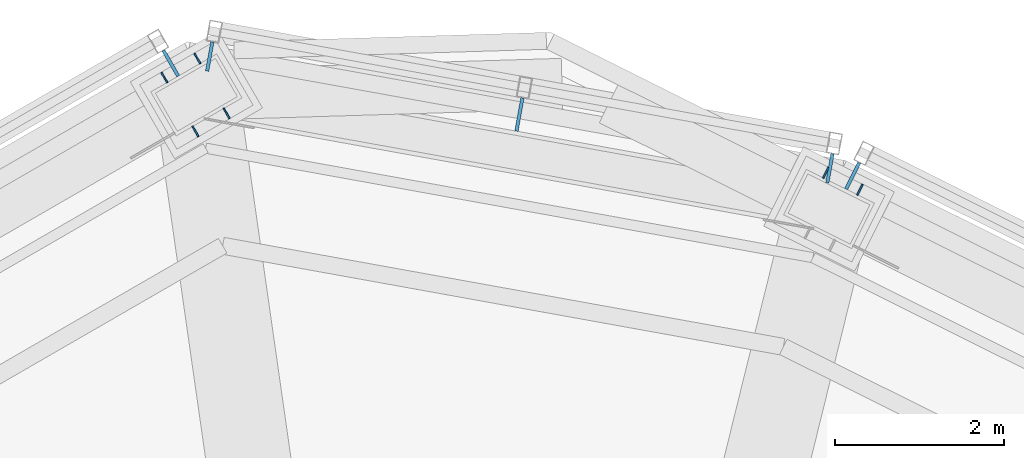
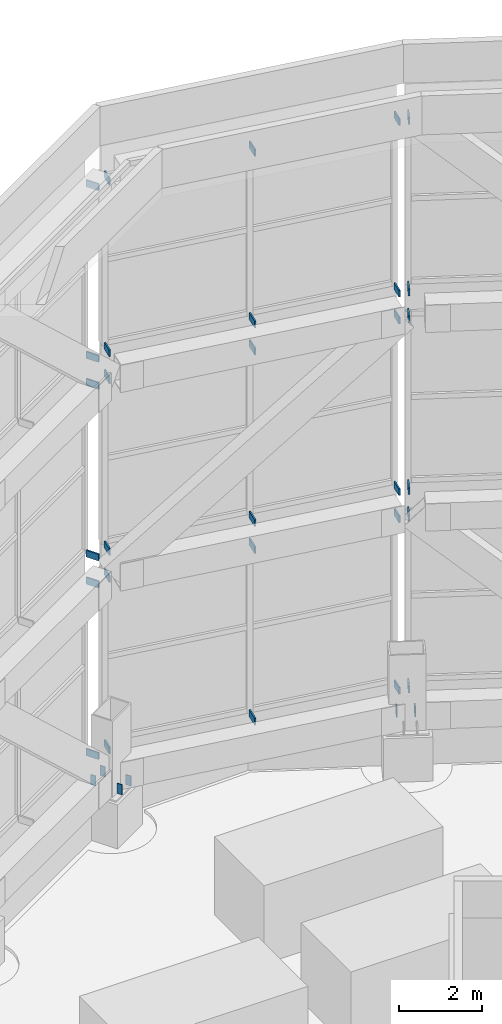
# One storey, part 42 of 46: 36 discrete accessories.
"""IFC4 building model written with IfcOpenShell, lengths in metres."""

import ifcopenshell
import ifcopenshell.guid

model = None  # the IFC model being written
_history = None  # IfcOwnerHistory: only IFC2X3 demands one
_inside = {}  # id of a spatial element -> (the spatial element, [elements in it])
_under = {}  # id of a project, library or spatial element -> (it, [spatial elements below it])
_declared = {}  # id of a project -> (the project, [libraries it declares])
_typed = {}  # id of a type object -> (the type object, [elements of that type])
_made_of = {}  # id of a material, layer set ... -> (it, [elements and type objects made of it])


def new_model(schema):
    """Start an empty IFC model of exactly this schema.

    Asked for "IFC4X3", IfcOpenShell would pick the latest addendum, in which some entities
    have other attributes; the version numbers below select the first issue.
    IFC2X3 requires an IfcOwnerHistory on every rooted entity: one is made here for all.
    """
    global model, _history
    if schema == "IFC4X3":
        model = ifcopenshell.file(schema_version=(4, 3, 0, 0))
    else:
        model = ifcopenshell.file(schema=schema)
    _inside.clear()
    _under.clear()
    _declared.clear()
    _typed.clear()
    _made_of.clear()
    _history = None
    if model.schema == "IFC2X3":
        org = make("IfcOrganization", Name="unknown")
        user = make(
            "IfcPersonAndOrganization",
            ThePerson=make("IfcPerson", FamilyName="unknown"),
            TheOrganization=org,
        )
        app = make(
            "IfcApplication",
            ApplicationDeveloper=org,
            Version="unknown",
            ApplicationFullName="unknown",
            ApplicationIdentifier="unknown",
        )
        _history = make(
            "IfcOwnerHistory",
            OwningUser=user,
            OwningApplication=app,
            ChangeAction="ADDED",
            CreationDate=0,
        )
    return model


def make(cls, **values):
    """One entity of the class cls with the attributes given. An attribute that is None is left unset."""
    return model.create_entity(
        cls, **{name: value for name, value in values.items() if value is not None}
    )


def rooted(cls, **values):
    """An entity with a GlobalId (a new one), such as an element, a storey or a relation."""
    return make(cls, GlobalId=ifcopenshell.guid.new(), OwnerHistory=_history, **values)


def si_unit(unit_type, name, prefix=None):
    """IfcSIUnit, for example si_unit("LENGTHUNIT", "METRE", prefix="MILLI")."""
    return make("IfcSIUnit", UnitType=unit_type, Prefix=prefix, Name=name)


def assignment(units):
    """IfcUnitAssignment: the units of a project."""
    return None if units is None else make("IfcUnitAssignment", Units=units)


def point(xyz):
    """IfcCartesianPoint."""
    return None if xyz is None else make("IfcCartesianPoint", Coordinates=xyz)


def direction(xyz):
    """IfcDirection."""
    return None if xyz is None else make("IfcDirection", DirectionRatios=xyz)


def frame(location, z_axis=None, x_axis=None):
    """IfcAxis2Placement3D, a coordinate frame: its origin and axes. An axis left out is left unset."""
    return make(
        "IfcAxis2Placement3D",
        Location=point(location),
        Axis=direction(z_axis),
        RefDirection=direction(x_axis),
    )


def frame_2d(location, x_axis=None):
    """IfcAxis2Placement2D, a coordinate frame in the plane: its origin and x axis."""
    return make(
        "IfcAxis2Placement2D", Location=point(location), RefDirection=direction(x_axis)
    )


def origin():
    """The frame at (0, 0, 0) with its axes left unset."""
    return frame((0.0, 0.0, 0.0))


def origin_2d():
    """The frame at (0, 0) in the plane with its x axis left unset."""
    return frame_2d((0.0, 0.0))


def place(relative_to, where):
    """IfcLocalPlacement: puts the frame where relative to a parent placement (None: the world)."""
    return make(
        "IfcLocalPlacement", PlacementRelTo=relative_to, RelativePlacement=where
    )


def context(
    kind, dimensions, precision=None, world=None, true_north=None, identifier=None
):
    """IfcGeometricRepresentationContext, for example the 3D "Model" context."""
    return make(
        "IfcGeometricRepresentationContext",
        ContextIdentifier=identifier,
        ContextType=kind,
        CoordinateSpaceDimension=dimensions,
        Precision=precision,
        WorldCoordinateSystem=world,
        TrueNorth=true_north,
    )


def subcontext(parent, identifier, kind, view, scale=None):
    """IfcGeometricRepresentationSubContext, for example "Body" below "Model"."""
    return make(
        "IfcGeometricRepresentationSubContext",
        ContextIdentifier=identifier,
        ContextType=kind,
        ParentContext=parent,
        TargetScale=scale,
        TargetView=view,
    )


def project(units=None, contexts=None):
    """IfcProject with its units and contexts."""
    return rooted(
        "IfcProject",
        Name="project",
        RepresentationContexts=contexts,
        UnitsInContext=assignment(units),
    )


def spatial(cls, under=None, at=None, **own):
    """A site, building, storey or space (cls), placed at a placement, below another one or the project."""
    s = rooted(cls, ObjectPlacement=at, **own)
    if under is not None:
        _under.setdefault(under.id(), (under, []))[1].append(s)
    return s


def profile(cls, at=None, kind="AREA", **sizes):
    """A parametric profile (cls). Its sizes go by their IFC names, for example OverallWidth=200.0."""
    return make(cls, ProfileType=kind, Position=at, **sizes)


def rectangle(**sizes):
    """IfcRectangleProfileDef."""
    return profile("IfcRectangleProfileDef", **sizes)


def extrude(swept, where, along, depth):
    """IfcExtrudedAreaSolid: the profile swept, set in the frame where, extruded along a direction by depth."""
    return make(
        "IfcExtrudedAreaSolid",
        SweptArea=swept,
        Position=where,
        ExtrudedDirection=direction(along),
        Depth=depth,
    )


def shape(context_of_items, identifier, shape_type, items):
    """IfcShapeRepresentation: the items that make up one representation, for example the "Body"."""
    return make(
        "IfcShapeRepresentation",
        ContextOfItems=context_of_items,
        RepresentationIdentifier=identifier,
        RepresentationType=shape_type,
        Items=items,
    )


def material(Name=None, Category=None):
    """IfcMaterial."""
    return make("IfcMaterial", Name=Name, Category=Category)


def layer(
    of_material, thickness, ventilated=None, Name=None, Category=None, Priority=None
):
    """IfcMaterialLayer: one layer of a wall or slab, of a material (None: an air gap)."""
    return make(
        "IfcMaterialLayer",
        Material=of_material,
        LayerThickness=thickness,
        IsVentilated=ventilated,
        Name=Name,
        Category=Category,
        Priority=Priority,
    )


def layer_set(layers, Name=None):
    """IfcMaterialLayerSet."""
    return make("IfcMaterialLayerSet", MaterialLayers=layers, LayerSetName=Name)


def made_of(thing, what):
    """Note that an element or type object is made of a material, layer set ...; save() writes the relation."""
    if what is not None:
        _made_of.setdefault(what.id(), (what, []))[1].append(thing)
    return thing


def type_object(cls, material=None, **own):
    """A type object (cls), such as IfcWallType, which elements share."""
    return made_of(rooted(cls, **own), material)


def element(
    cls,
    number,
    at=None,
    inside=None,
    cuts=None,
    type_object=None,
    material=None,
    context=None,
    identifier="Body",
    shape_type=None,
    held_by="IfcProductDefinitionShape",
    body=None,
    shapes=None,
    **own,
):
    """One element of the class cls, such as IfcWall. Its Tag is "e" and its number.

    at: its placement. inside: the storey or other place that contains it. cuts: it is an
    opening in that element (IfcRelVoidsElement). A single representation is given by context,
    identifier, shape_type and body (its items); several are given by shapes. held_by: the class
    of the entity that holds the representations. save() writes the other relations.
    """
    e = rooted(cls, Tag="e%d" % number, ObjectPlacement=at, **own)
    if body is not None:
        shapes = [shape(context, identifier, shape_type, body)]
    if shapes is not None:
        e.Representation = make(held_by, Representations=shapes)
    if inside is not None:
        _inside.setdefault(inside.id(), (inside, []))[1].append(e)
    if cuts is not None:
        rooted(
            "IfcRelVoidsElement", RelatingBuildingElement=cuts, RelatedOpeningElement=e
        )
    if type_object is not None:
        _typed.setdefault(type_object.id(), (type_object, []))[1].append(e)
    return made_of(e, material)


def aggregate(whole, parts):
    """IfcRelAggregates: a whole, such as a stair, and the parts it consists of."""
    return rooted("IfcRelAggregates", RelatingObject=whole, RelatedObjects=parts)


def save(model, path):
    """Write the relations noted so far, then the file.

    IfcRelAggregates (storeys below a building ...), IfcRelContainedInSpatialStructure (elements
    in a storey), IfcRelDefinesByType, IfcRelAssociatesMaterial and IfcRelDeclares: one each for
    every whole, place, type object, material and project.
    """
    for whole, parts in _under.values():
        aggregate(whole, parts)
    for where, things in _inside.values():
        rooted(
            "IfcRelContainedInSpatialStructure",
            RelatedElements=things,
            RelatingStructure=where,
        )
    for kind, things in _typed.values():
        rooted("IfcRelDefinesByType", RelatedObjects=things, RelatingType=kind)
    for what, things in _made_of.values():
        rooted("IfcRelAssociatesMaterial", RelatedObjects=things, RelatingMaterial=what)
    for by, libraries in _declared.values():
        rooted("IfcRelDeclares", RelatingContext=by, RelatedDefinitions=libraries)
    model.write(path)


model = new_model("IFC4")

# Units and contexts
model_context = context("Model", 3, precision=1e-05, world=origin(), true_north=direction((0.0, 1.0)))
body_context = subcontext(model_context, "Body", "Model", "MODEL_VIEW")
ifc_project = project(units=[si_unit("LENGTHUNIT", "METRE"), si_unit("AREAUNIT", "SQUARE_METRE"), si_unit("VOLUMEUNIT", "CUBIC_METRE"), si_unit("PLANEANGLEUNIT", "RADIAN"), si_unit("MASSUNIT", "GRAM", prefix="KILO")], contexts=[model_context])

# Site, building, storey
site_placement = place(None, origin())
site = spatial("IfcSite", under=ifc_project, at=site_placement, CompositionType="ELEMENT")
building_placement = place(site_placement, origin())
building = spatial("IfcBuilding", under=site, at=building_placement, Name="Vanh Sen Convention Tower", CompositionType="ELEMENT")
storey_placement = place(building_placement, frame((0.0, 0.0, 305.0)))
storey = spatial("IfcBuildingStorey", under=building, at=storey_placement, Name="Roof level", CompositionType="ELEMENT", Elevation=305.0)

# Discrete accessories
ifc_material_1 = material(Name="Steel S355", Category="steel")
ifc_layer = layer(ifc_material_1, 0.02001953125)
ifc_layer_set = layer_set([ifc_layer], Name="Steel S355")
discrete_accessory_type_1 = type_object("IfcDiscreteAccessoryType", Name="Crown base plate stiffener 140 x 300 x 20", PredefinedType="USERDEFINED", material=ifc_layer_set)
for number, where, z_axis, x_axis, name in (
    (1, (4.578857421875, 19.134765625, 1.34521484375), (0.0, 0.0, 1.0), (-0.44619781311, -0.894934361602, 0.0), "STIFFENER crown column 06 rib 3"),
    (2, (4.981689453125, 18.93408203125, 1.34521484375), (0.0, 0.0, 1.0), (-0.44619781311, -0.894934361602, 0.0), "STIFFENER crown column 06 rib 4"),
    (3, (-2.87548828125, 19.623779296875, 1.34521484375), (0.0, 0.0, 1.0), (0.5, -0.866025403784, 0.0), "STIFFENER crown column 07 rib 1"),
    (4, (-2.50732421875, 19.83642578125, 1.34521484375), (0.0, 0.0, 1.0), (0.5, -0.866025403784, 0.0), "STIFFENER crown column 07 rib 2"),
    (5, (-3.242919921875, 20.260498046875, 1.34521484375), (0.0, 0.0, 1.0), (0.5, -0.866025403784, 0.0), "STIFFENER crown column 07 rib 3"),
    (6, (-2.853271484375, 20.485595703125, 1.34521484375), (0.0, 0.0, 1.0), (0.5, -0.866025403784, 0.0), "STIFFENER crown column 07 rib 4"),
):
    element("IfcDiscreteAccessory", number, at=place(storey_placement, frame(where, z_axis=z_axis, x_axis=x_axis)), inside=storey, type_object=discrete_accessory_type_1, Name=name, ObjectType="STIFFENER", PredefinedType="USERDEFINED", context=body_context, shape_type="SweptSolid", body=[
        extrude(rectangle(XDim=0.14501953125, YDim=0.02001953125, at=origin_2d()), origin(), (0.0, 0.0, 1.0), 0.300048828125),
    ])
ifc_material_2 = material(Name="Steel S355", Category="steel")
discrete_accessory_type_2 = type_object("IfcDiscreteAccessoryType", Name="Crown screen bracket 40 x 200", PredefinedType="BRACKET", material=ifc_material_2)
for number, where, z_axis, x_axis, name in (
    (7, (4.8955078125, 19.09716796875, 2.044921875), (0.0, 0.0, 1.0), (0.446193127238, 0.894936697876, 0.0), "Crown screen bracket 05-1-3"),
    (8, (4.8955078125, 19.09716796875, 7.11328125), (0.0, 0.0, 1.0), (0.446193127238, 0.894936697876, 0.0), "Crown screen bracket 05-1-6"),
    (9, (4.8955078125, 19.09716796875, 7.9130859375), (0.0, 0.0, 1.0), (0.446193127238, 0.894936697876, 0.0), "Crown screen bracket 05-2-3"),
    (10, (4.8955078125, 19.09716796875, 12.98193359375), (0.0, 0.0, 1.0), (0.446193127238, 0.894936697876, 0.0), "Crown screen bracket 05-2-6"),
    (11, (4.8955078125, 19.09716796875, 13.78173828125), (0.0, 0.0, 1.0), (0.446193127238, 0.894936697876, 0.0), "Crown screen bracket 05-3-3"),
    (12, (4.8955078125, 19.09716796875, 18.85009765625), (0.0, 0.0, 1.0), (0.446193127238, 0.894936697876, 0.0), "Crown screen bracket 05-3-6"),
    (13, (4.626708984375, 19.186279296875, 2.044921875), (0.0, 0.0, 1.0), (0.177495266048, 0.984121654335, 0.0), "Crown screen bracket 06-1-1"),
):
    element("IfcDiscreteAccessory", number, at=place(storey_placement, frame(where, z_axis=z_axis, x_axis=x_axis)), inside=storey, type_object=discrete_accessory_type_2, Name=name, PredefinedType="BRACKET", context=body_context, shape_type="SweptSolid", body=[
        extrude(rectangle(XDim=0.35009765625, YDim=0.0400390625, at=origin_2d()), origin(), (0.0, 0.0, 1.0), 0.199951171875),
    ])
discrete_accessory_1_placement = place(storey_placement, frame((0.955810546875, 19.822998046875, 2.044921875), z_axis=(0.0, 0.0, 1.0), x_axis=(0.177495266048, 0.984121654335, 0.0)))
element("IfcDiscreteAccessory", 14, at=discrete_accessory_1_placement, inside=storey, type_object=discrete_accessory_type_2, Name="Crown screen bracket 06-1-2", PredefinedType="BRACKET", context=body_context, shape_type="SweptSolid", body=[
    extrude(rectangle(XDim=0.39990234375, YDim=0.0400390625, at=origin_2d()), origin(), (0.0, 0.0, 1.0), 0.199951171875),
])
for number, where, z_axis, x_axis, name in (
    (15, (-2.706298828125, 20.5087890625, 2.044921875), (0.0, 0.0, 1.0), (0.177495266048, 0.984121654335, 0.0), "Crown screen bracket 06-1-3"),
    (16, (4.626708984375, 19.186279296875, 7.11328125), (0.0, 0.0, 1.0), (0.177495266048, 0.984121654335, 0.0), "Crown screen bracket 06-1-4"),
):
    element("IfcDiscreteAccessory", number, at=place(storey_placement, frame(where, z_axis=z_axis, x_axis=x_axis)), inside=storey, type_object=discrete_accessory_type_2, Name=name, PredefinedType="BRACKET", context=body_context, shape_type="SweptSolid", body=[
        extrude(rectangle(XDim=0.35009765625, YDim=0.0400390625, at=origin_2d()), origin(), (0.0, 0.0, 1.0), 0.199951171875),
    ])
discrete_accessory_2_placement = place(storey_placement, frame((0.955810546875, 19.822998046875, 7.11328125), z_axis=(0.0, 0.0, 1.0), x_axis=(0.177495266048, 0.984121654335, 0.0)))
element("IfcDiscreteAccessory", 17, at=discrete_accessory_2_placement, inside=storey, type_object=discrete_accessory_type_2, Name="Crown screen bracket 06-1-5", PredefinedType="BRACKET", context=body_context, shape_type="SweptSolid", body=[
    extrude(rectangle(XDim=0.39990234375, YDim=0.0400390625, at=origin_2d()), origin(), (0.0, 0.0, 1.0), 0.199951171875),
])
for number, where, z_axis, x_axis, name in (
    (18, (-2.706298828125, 20.5087890625, 7.11328125), (0.0, 0.0, 1.0), (0.177495266048, 0.984121654335, 0.0), "Crown screen bracket 06-1-6"),
    (19, (4.626708984375, 19.186279296875, 7.9130859375), (0.0, 0.0, 1.0), (0.177495266048, 0.984121654335, 0.0), "Crown screen bracket 06-2-1"),
):
    element("IfcDiscreteAccessory", number, at=place(storey_placement, frame(where, z_axis=z_axis, x_axis=x_axis)), inside=storey, type_object=discrete_accessory_type_2, Name=name, PredefinedType="BRACKET", context=body_context, shape_type="SweptSolid", body=[
        extrude(rectangle(XDim=0.35009765625, YDim=0.0400390625, at=origin_2d()), origin(), (0.0, 0.0, 1.0), 0.199951171875),
    ])
discrete_accessory_3_placement = place(storey_placement, frame((0.955810546875, 19.822998046875, 7.9130859375), z_axis=(0.0, 0.0, 1.0), x_axis=(0.177495266048, 0.984121654335, 0.0)))
element("IfcDiscreteAccessory", 20, at=discrete_accessory_3_placement, inside=storey, type_object=discrete_accessory_type_2, Name="Crown screen bracket 06-2-2", PredefinedType="BRACKET", context=body_context, shape_type="SweptSolid", body=[
    extrude(rectangle(XDim=0.39990234375, YDim=0.0400390625, at=origin_2d()), origin(), (0.0, 0.0, 1.0), 0.199951171875),
])
for number, where, z_axis, x_axis, name in (
    (21, (-2.706298828125, 20.5087890625, 7.9130859375), (0.0, 0.0, 1.0), (0.177495266048, 0.984121654335, 0.0), "Crown screen bracket 06-2-3"),
    (22, (4.626708984375, 19.186279296875, 12.98193359375), (0.0, 0.0, 1.0), (0.177495266048, 0.984121654335, 0.0), "Crown screen bracket 06-2-4"),
):
    element("IfcDiscreteAccessory", number, at=place(storey_placement, frame(where, z_axis=z_axis, x_axis=x_axis)), inside=storey, type_object=discrete_accessory_type_2, Name=name, PredefinedType="BRACKET", context=body_context, shape_type="SweptSolid", body=[
        extrude(rectangle(XDim=0.35009765625, YDim=0.0400390625, at=origin_2d()), origin(), (0.0, 0.0, 1.0), 0.199951171875),
    ])
discrete_accessory_4_placement = place(storey_placement, frame((0.955810546875, 19.822998046875, 12.98193359375), z_axis=(0.0, 0.0, 1.0), x_axis=(0.177495266048, 0.984121654335, 0.0)))
element("IfcDiscreteAccessory", 23, at=discrete_accessory_4_placement, inside=storey, type_object=discrete_accessory_type_2, Name="Crown screen bracket 06-2-5", PredefinedType="BRACKET", context=body_context, shape_type="SweptSolid", body=[
    extrude(rectangle(XDim=0.39990234375, YDim=0.0400390625, at=origin_2d()), origin(), (0.0, 0.0, 1.0), 0.199951171875),
])
for number, where, z_axis, x_axis, name in (
    (24, (-2.706298828125, 20.5087890625, 12.98193359375), (0.0, 0.0, 1.0), (0.177495266048, 0.984121654335, 0.0), "Crown screen bracket 06-2-6"),
    (25, (4.626708984375, 19.186279296875, 13.78173828125), (0.0, 0.0, 1.0), (0.177495266048, 0.984121654335, 0.0), "Crown screen bracket 06-3-1"),
):
    element("IfcDiscreteAccessory", number, at=place(storey_placement, frame(where, z_axis=z_axis, x_axis=x_axis)), inside=storey, type_object=discrete_accessory_type_2, Name=name, PredefinedType="BRACKET", context=body_context, shape_type="SweptSolid", body=[
        extrude(rectangle(XDim=0.35009765625, YDim=0.0400390625, at=origin_2d()), origin(), (0.0, 0.0, 1.0), 0.199951171875),
    ])
discrete_accessory_5_placement = place(storey_placement, frame((0.955810546875, 19.822998046875, 13.78173828125), z_axis=(0.0, 0.0, 1.0), x_axis=(0.177495266048, 0.984121654335, 0.0)))
element("IfcDiscreteAccessory", 26, at=discrete_accessory_5_placement, inside=storey, type_object=discrete_accessory_type_2, Name="Crown screen bracket 06-3-2", PredefinedType="BRACKET", context=body_context, shape_type="SweptSolid", body=[
    extrude(rectangle(XDim=0.39990234375, YDim=0.0400390625, at=origin_2d()), origin(), (0.0, 0.0, 1.0), 0.199951171875),
])
for number, where, z_axis, x_axis, name in (
    (27, (-2.706298828125, 20.5087890625, 13.78173828125), (0.0, 0.0, 1.0), (0.177495266048, 0.984121654335, 0.0), "Crown screen bracket 06-3-3"),
    (28, (4.626708984375, 19.186279296875, 18.85009765625), (0.0, 0.0, 1.0), (0.177495266048, 0.984121654335, 0.0), "Crown screen bracket 06-3-4"),
):
    element("IfcDiscreteAccessory", number, at=place(storey_placement, frame(where, z_axis=z_axis, x_axis=x_axis)), inside=storey, type_object=discrete_accessory_type_2, Name=name, PredefinedType="BRACKET", context=body_context, shape_type="SweptSolid", body=[
        extrude(rectangle(XDim=0.35009765625, YDim=0.0400390625, at=origin_2d()), origin(), (0.0, 0.0, 1.0), 0.199951171875),
    ])
discrete_accessory_6_placement = place(storey_placement, frame((0.955810546875, 19.822998046875, 18.85009765625), z_axis=(0.0, 0.0, 1.0), x_axis=(0.177495266048, 0.984121654335, 0.0)))
element("IfcDiscreteAccessory", 29, at=discrete_accessory_6_placement, inside=storey, type_object=discrete_accessory_type_2, Name="Crown screen bracket 06-3-5", PredefinedType="BRACKET", context=body_context, shape_type="SweptSolid", body=[
    extrude(rectangle(XDim=0.39990234375, YDim=0.0400390625, at=origin_2d()), origin(), (0.0, 0.0, 1.0), 0.199951171875),
])
for number, where, z_axis, x_axis, name in (
    (30, (-2.706298828125, 20.5087890625, 18.85009765625), (0.0, 0.0, 1.0), (0.177495266048, 0.984121654335, 0.0), "Crown screen bracket 06-3-6"),
    (31, (-3.166748046875, 20.4287109375, 2.044921875), (0.0, 0.0, 1.0), (-0.500004534492, 0.866022785779, 0.0), "Crown screen bracket 07-1-1"),
    (32, (-3.166748046875, 20.4287109375, 7.11328125), (0.0, 0.0, 1.0), (-0.500004534492, 0.866022785779, 0.0), "Crown screen bracket 07-1-4"),
    (33, (-3.166748046875, 20.4287109375, 7.9130859375), (0.0, 0.0, 1.0), (-0.500004534492, 0.866022785779, 0.0), "Crown screen bracket 07-2-1"),
    (34, (-3.166748046875, 20.4287109375, 12.98193359375), (0.0, 0.0, 1.0), (-0.500004534492, 0.866022785779, 0.0), "Crown screen bracket 07-2-4"),
    (35, (-3.166748046875, 20.4287109375, 13.78173828125), (0.0, 0.0, 1.0), (-0.500004534492, 0.866022785779, 0.0), "Crown screen bracket 07-3-1"),
    (36, (-3.166748046875, 20.4287109375, 18.85009765625), (0.0, 0.0, 1.0), (-0.500004534492, 0.866022785779, 0.0), "Crown screen bracket 07-3-4"),
):
    element("IfcDiscreteAccessory", number, at=place(storey_placement, frame(where, z_axis=z_axis, x_axis=x_axis)), inside=storey, type_object=discrete_accessory_type_2, Name=name, PredefinedType="BRACKET", context=body_context, shape_type="SweptSolid", body=[
        extrude(rectangle(XDim=0.35009765625, YDim=0.0400390625, at=origin_2d()), origin(), (0.0, 0.0, 1.0), 0.199951171875),
    ])

save(model, "model.ifc")
